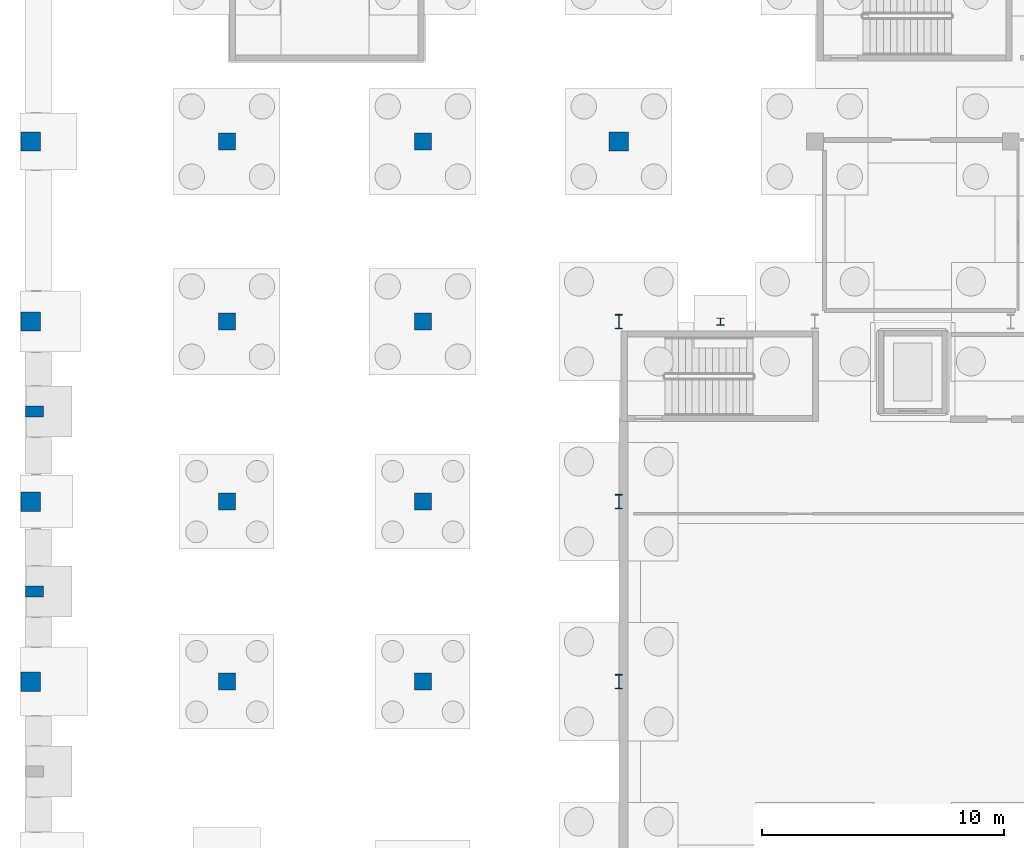
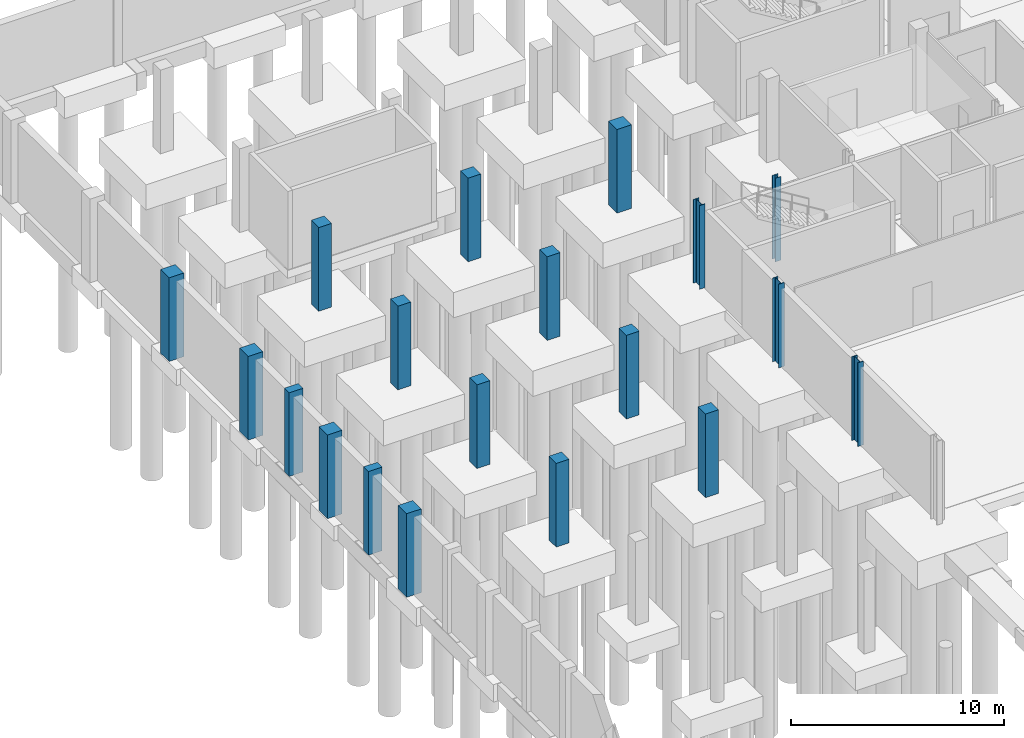
# One storey, part 18 of 37: 19 columns.
"""IFC4 building model written with IfcOpenShell, lengths in metres."""

import ifcopenshell
import ifcopenshell.guid

model = None  # the IFC model being written
_history = None  # IfcOwnerHistory: only IFC2X3 demands one
_inside = {}  # id of a spatial element -> (the spatial element, [elements in it])
_under = {}  # id of a project, library or spatial element -> (it, [spatial elements below it])
_declared = {}  # id of a project -> (the project, [libraries it declares])
_typed = {}  # id of a type object -> (the type object, [elements of that type])
_made_of = {}  # id of a material, layer set ... -> (it, [elements and type objects made of it])


def new_model(schema):
    """Start an empty IFC model of exactly this schema.

    Asked for "IFC4X3", IfcOpenShell would pick the latest addendum, in which some entities
    have other attributes; the version numbers below select the first issue.
    IFC2X3 requires an IfcOwnerHistory on every rooted entity: one is made here for all.
    """
    global model, _history
    if schema == "IFC4X3":
        model = ifcopenshell.file(schema_version=(4, 3, 0, 0))
    else:
        model = ifcopenshell.file(schema=schema)
    _inside.clear()
    _under.clear()
    _declared.clear()
    _typed.clear()
    _made_of.clear()
    _history = None
    if model.schema == "IFC2X3":
        org = make("IfcOrganization", Name="unknown")
        user = make(
            "IfcPersonAndOrganization",
            ThePerson=make("IfcPerson", FamilyName="unknown"),
            TheOrganization=org,
        )
        app = make(
            "IfcApplication",
            ApplicationDeveloper=org,
            Version="unknown",
            ApplicationFullName="unknown",
            ApplicationIdentifier="unknown",
        )
        _history = make(
            "IfcOwnerHistory",
            OwningUser=user,
            OwningApplication=app,
            ChangeAction="ADDED",
            CreationDate=0,
        )
    return model


def make(cls, **values):
    """One entity of the class cls with the attributes given. An attribute that is None is left unset."""
    return model.create_entity(
        cls, **{name: value for name, value in values.items() if value is not None}
    )


def rooted(cls, **values):
    """An entity with a GlobalId (a new one), such as an element, a storey or a relation."""
    return make(cls, GlobalId=ifcopenshell.guid.new(), OwnerHistory=_history, **values)


def si_unit(unit_type, name, prefix=None):
    """IfcSIUnit, for example si_unit("LENGTHUNIT", "METRE", prefix="MILLI")."""
    return make("IfcSIUnit", UnitType=unit_type, Prefix=prefix, Name=name)


def assignment(units):
    """IfcUnitAssignment: the units of a project."""
    return None if units is None else make("IfcUnitAssignment", Units=units)


def point(xyz):
    """IfcCartesianPoint."""
    return None if xyz is None else make("IfcCartesianPoint", Coordinates=xyz)


def direction(xyz):
    """IfcDirection."""
    return None if xyz is None else make("IfcDirection", DirectionRatios=xyz)


def frame(location, z_axis=None, x_axis=None):
    """IfcAxis2Placement3D, a coordinate frame: its origin and axes. An axis left out is left unset."""
    return make(
        "IfcAxis2Placement3D",
        Location=point(location),
        Axis=direction(z_axis),
        RefDirection=direction(x_axis),
    )


def frame_2d(location, x_axis=None):
    """IfcAxis2Placement2D, a coordinate frame in the plane: its origin and x axis."""
    return make(
        "IfcAxis2Placement2D", Location=point(location), RefDirection=direction(x_axis)
    )


def origin():
    """The frame at (0, 0, 0) with its axes left unset."""
    return frame((0.0, 0.0, 0.0))


def origin_2d():
    """The frame at (0, 0) in the plane with its x axis left unset."""
    return frame_2d((0.0, 0.0))


def place(relative_to, where):
    """IfcLocalPlacement: puts the frame where relative to a parent placement (None: the world)."""
    return make(
        "IfcLocalPlacement", PlacementRelTo=relative_to, RelativePlacement=where
    )


def context(
    kind, dimensions, precision=None, world=None, true_north=None, identifier=None
):
    """IfcGeometricRepresentationContext, for example the 3D "Model" context."""
    return make(
        "IfcGeometricRepresentationContext",
        ContextIdentifier=identifier,
        ContextType=kind,
        CoordinateSpaceDimension=dimensions,
        Precision=precision,
        WorldCoordinateSystem=world,
        TrueNorth=true_north,
    )


def subcontext(parent, identifier, kind, view, scale=None):
    """IfcGeometricRepresentationSubContext, for example "Body" below "Model"."""
    return make(
        "IfcGeometricRepresentationSubContext",
        ContextIdentifier=identifier,
        ContextType=kind,
        ParentContext=parent,
        TargetScale=scale,
        TargetView=view,
    )


def project(units=None, contexts=None):
    """IfcProject with its units and contexts."""
    return rooted(
        "IfcProject",
        Name="project",
        RepresentationContexts=contexts,
        UnitsInContext=assignment(units),
    )


def spatial(cls, under=None, at=None, **own):
    """A site, building, storey or space (cls), placed at a placement, below another one or the project."""
    s = rooted(cls, ObjectPlacement=at, **own)
    if under is not None:
        _under.setdefault(under.id(), (under, []))[1].append(s)
    return s


def profile(cls, at=None, kind="AREA", **sizes):
    """A parametric profile (cls). Its sizes go by their IFC names, for example OverallWidth=200.0."""
    return make(cls, ProfileType=kind, Position=at, **sizes)


def rectangle(**sizes):
    """IfcRectangleProfileDef."""
    return profile("IfcRectangleProfileDef", **sizes)


def i_section(**sizes):
    """IfcIShapeProfileDef."""
    return profile("IfcIShapeProfileDef", **sizes)


def extrude(swept, where, along, depth):
    """IfcExtrudedAreaSolid: the profile swept, set in the frame where, extruded along a direction by depth."""
    return make(
        "IfcExtrudedAreaSolid",
        SweptArea=swept,
        Position=where,
        ExtrudedDirection=direction(along),
        Depth=depth,
    )


def shape(context_of_items, identifier, shape_type, items):
    """IfcShapeRepresentation: the items that make up one representation, for example the "Body"."""
    return make(
        "IfcShapeRepresentation",
        ContextOfItems=context_of_items,
        RepresentationIdentifier=identifier,
        RepresentationType=shape_type,
        Items=items,
    )


def material(Name=None, Category=None):
    """IfcMaterial."""
    return make("IfcMaterial", Name=Name, Category=Category)


def material_profile(
    of_material, cross_section, Name=None, Category=None, Priority=None
):
    """IfcMaterialProfile: a cross section and its material."""
    return make(
        "IfcMaterialProfile",
        Name=Name,
        Material=of_material,
        Profile=cross_section,
        Priority=Priority,
        Category=Category,
    )


def profile_set(profiles, Name=None, composite=None):
    """IfcMaterialProfileSet."""
    return make(
        "IfcMaterialProfileSet",
        Name=Name,
        MaterialProfiles=profiles,
        CompositeProfile=composite,
    )


def made_of(thing, what):
    """Note that an element or type object is made of a material, layer set ...; save() writes the relation."""
    if what is not None:
        _made_of.setdefault(what.id(), (what, []))[1].append(thing)
    return thing


def type_object(cls, material=None, **own):
    """A type object (cls), such as IfcWallType, which elements share."""
    return made_of(rooted(cls, **own), material)


def element(
    cls,
    number,
    at=None,
    inside=None,
    cuts=None,
    type_object=None,
    material=None,
    context=None,
    identifier="Body",
    shape_type=None,
    held_by="IfcProductDefinitionShape",
    body=None,
    shapes=None,
    **own,
):
    """One element of the class cls, such as IfcWall. Its Tag is "e" and its number.

    at: its placement. inside: the storey or other place that contains it. cuts: it is an
    opening in that element (IfcRelVoidsElement). A single representation is given by context,
    identifier, shape_type and body (its items); several are given by shapes. held_by: the class
    of the entity that holds the representations. save() writes the other relations.
    """
    e = rooted(cls, Tag="e%d" % number, ObjectPlacement=at, **own)
    if body is not None:
        shapes = [shape(context, identifier, shape_type, body)]
    if shapes is not None:
        e.Representation = make(held_by, Representations=shapes)
    if inside is not None:
        _inside.setdefault(inside.id(), (inside, []))[1].append(e)
    if cuts is not None:
        rooted(
            "IfcRelVoidsElement", RelatingBuildingElement=cuts, RelatedOpeningElement=e
        )
    if type_object is not None:
        _typed.setdefault(type_object.id(), (type_object, []))[1].append(e)
    return made_of(e, material)


def aggregate(whole, parts):
    """IfcRelAggregates: a whole, such as a stair, and the parts it consists of."""
    return rooted("IfcRelAggregates", RelatingObject=whole, RelatedObjects=parts)


def save(model, path):
    """Write the relations noted so far, then the file.

    IfcRelAggregates (storeys below a building ...), IfcRelContainedInSpatialStructure (elements
    in a storey), IfcRelDefinesByType, IfcRelAssociatesMaterial and IfcRelDeclares: one each for
    every whole, place, type object, material and project.
    """
    for whole, parts in _under.values():
        aggregate(whole, parts)
    for where, things in _inside.values():
        rooted(
            "IfcRelContainedInSpatialStructure",
            RelatedElements=things,
            RelatingStructure=where,
        )
    for kind, things in _typed.values():
        rooted("IfcRelDefinesByType", RelatedObjects=things, RelatingType=kind)
    for what, things in _made_of.values():
        rooted("IfcRelAssociatesMaterial", RelatedObjects=things, RelatingMaterial=what)
    for by, libraries in _declared.values():
        rooted("IfcRelDeclares", RelatingContext=by, RelatedDefinitions=libraries)
    model.write(path)


model = new_model("IFC4")

# Units and contexts
model_context = context("Model", 3, precision=1e-05, world=origin(), true_north=direction((0.0, 1.0)))
body_context = subcontext(model_context, "Body", "Model", "MODEL_VIEW")
ifc_project = project(units=[si_unit("LENGTHUNIT", "METRE"), si_unit("AREAUNIT", "SQUARE_METRE"), si_unit("VOLUMEUNIT", "CUBIC_METRE"), si_unit("PLANEANGLEUNIT", "RADIAN"), si_unit("MASSUNIT", "GRAM", prefix="KILO")], contexts=[model_context])

# Site, building, storey
site_placement = place(None, origin())
site = spatial("IfcSite", under=ifc_project, at=site_placement, CompositionType="ELEMENT")
building_placement = place(site_placement, origin())
building = spatial("IfcBuilding", under=site, at=building_placement, Name="Kaelora Sail Theatre", CompositionType="ELEMENT")
storey_placement = place(building_placement, frame((0.0, 0.0, -4.800048828125)))
storey = spatial("IfcBuildingStorey", under=building, at=storey_placement, Name="B1", CompositionType="ELEMENT", Elevation=-4.800048828125)

# Columns
ifc_material_1 = material(Name="Steel S355", Category="steel")
ifc_material_profile_1 = material_profile(ifc_material_1, i_section(OverallWidth=0.300048828125, OverallDepth=0.2900390625, WebThickness=0.008544921875, FlangeThickness=0.013916015625, FilletRadius=0.027099609375, at=origin_2d()), Name="HEA 300")
ifc_profile_set_1 = profile_set([ifc_material_profile_1], Name="Steel S355")
column_type_1 = type_object("IfcColumnType", Name="STR-COL-C-HEA300", PredefinedType="COLUMN", material=ifc_profile_set_1)
column_placement = place(storey_placement, frame((30.0, 83.340087890625, 0.0), z_axis=(0.0, 0.0, 1.0), x_axis=(1.0, 0.0, 0.0)))
element("IfcColumn", 1, at=column_placement, inside=storey, type_object=column_type_1, Name="Understage/Link substructure column 07", PredefinedType="COLUMN", context=body_context, shape_type="SweptSolid", body=[
    extrude(i_section(OverallWidth=0.300048828125, OverallDepth=0.2900390625, WebThickness=0.008544921875, FlangeThickness=0.013916015625, FilletRadius=0.027099609375, at=origin_2d()), origin(), (0.0, 0.0, 1.0), 4.800048828125),
])
ifc_material_2 = material(Name="Steel S355", Category="steel")
ifc_material_profile_2 = material_profile(ifc_material_2, i_section(OverallWidth=0.300048828125, OverallDepth=0.60009765625, WebThickness=0.015380859375, FlangeThickness=0.030029296875, FilletRadius=0.027099609375, at=origin_2d()), Name="HEB 600")
ifc_profile_set_2 = profile_set([ifc_material_profile_2], Name="Steel S355")
column_type_2 = type_object("IfcColumnType", Name="STR-COL-C-HEB600", PredefinedType="COLUMN", material=ifc_profile_set_2)
for number, where, z_axis, x_axis, name in (
    (2, (25.800048828125, 68.4599609375, 0.0), (0.0, 0.0, 1.0), (1.0, 0.0, 0.0), "Column 4/J (B1)"),
    (3, (25.800048828125, 75.89990234375, 0.0), (0.0, 0.0, 1.0), (1.0, 0.0, 0.0), "Column 4/K (B1)"),
    (4, (25.800048828125, 83.340087890625, 0.0), (0.0, 0.0, 1.0), (1.0, 0.0, 0.0), "Column 4/L (B1)"),
):
    element("IfcColumn", number, at=place(storey_placement, frame(where, z_axis=z_axis, x_axis=x_axis)), inside=storey, type_object=column_type_2, Name=name, PredefinedType="COLUMN", context=body_context, shape_type="SweptSolid", body=[
        extrude(i_section(OverallWidth=0.300048828125, OverallDepth=0.60009765625, WebThickness=0.015380859375, FlangeThickness=0.030029296875, FilletRadius=0.027099609375, at=origin_2d()), origin(), (0.0, 0.0, 1.0), 4.800048828125),
    ])
ifc_material_3 = material(Name="Concrete C45/55", Category="concrete")
ifc_material_profile_3 = material_profile(ifc_material_3, rectangle(XDim=0.699951171875, YDim=0.699951171875, at=origin_2d()), Name="RC-COL 700x700")
ifc_profile_set_3 = profile_set([ifc_material_profile_3], Name="Concrete C45/55")
column_type_3 = type_object("IfcColumnType", Name="STR-COL-C-RC700", PredefinedType="COLUMN", material=ifc_profile_set_3)
for number, where, z_axis, x_axis, name in (
    (5, (9.60009765625, 68.4599609375, 0.0), (0.0, 0.0, 1.0), (1.0, 0.0, 0.0), "Column 2/J (B1)"),
    (6, (9.60009765625, 75.89990234375, 0.0), (0.0, 0.0, 1.0), (1.0, 0.0, 0.0), "Column 2/K (B1)"),
    (7, (9.60009765625, 83.340087890625, 0.0), (0.0, 0.0, 1.0), (1.0, 0.0, 0.0), "Column 2/L (B1)"),
    (8, (9.60009765625, 90.780029296875, 0.0), (0.0, 0.0, 1.0), (1.0, 0.0, 0.0), "Column 2/M (B1)"),
    (9, (17.699951171875, 68.4599609375, 0.0), (0.0, 0.0, 1.0), (1.0, 0.0, 0.0), "Column 3/J (B1)"),
    (10, (17.699951171875, 75.89990234375, 0.0), (0.0, 0.0, 1.0), (1.0, 0.0, 0.0), "Column 3/K (B1)"),
    (11, (17.699951171875, 83.340087890625, 0.0), (0.0, 0.0, 1.0), (1.0, 0.0, 0.0), "Column 3/L (B1)"),
    (12, (17.699951171875, 90.780029296875, 0.0), (0.0, 0.0, 1.0), (1.0, 0.0, 0.0), "Column 3/M (B1)"),
):
    element("IfcColumn", number, at=place(storey_placement, frame(where, z_axis=z_axis, x_axis=x_axis)), inside=storey, type_object=column_type_3, Name=name, PredefinedType="COLUMN", context=body_context, shape_type="SweptSolid", body=[
        extrude(rectangle(XDim=0.699951171875, YDim=0.699951171875, at=origin_2d()), origin(), (0.0, 0.0, 1.0), 4.800048828125),
    ])
ifc_material_4 = material(Name="Concrete C50/60", Category="concrete")
ifc_material_profile_4 = material_profile(ifc_material_4, rectangle(XDim=0.800048828125, YDim=0.800048828125, at=origin_2d()), Name="RC-COL 800x800")
ifc_profile_set_4 = profile_set([ifc_material_profile_4], Name="Concrete C50/60")
column_type_4 = type_object("IfcColumnType", Name="STR-COL-C-RC800", PredefinedType="COLUMN", material=ifc_profile_set_4)
for number, where, z_axis, x_axis, name in (
    (13, (1.5, 68.4599609375, 0.0), (0.0, 0.0, 1.0), (1.0, 0.0, 0.0), "Column 1/J (B1)"),
    (14, (1.5, 75.89990234375, 0.0), (0.0, 0.0, 1.0), (1.0, 0.0, 0.0), "Column 1/K (B1)"),
    (15, (1.5, 83.340087890625, 0.0), (0.0, 0.0, 1.0), (1.0, 0.0, 0.0), "Column 1/L (B1)"),
    (16, (1.5, 90.780029296875, 0.0), (0.0, 0.0, 1.0), (1.0, 0.0, 0.0), "Column 1/M (B1)"),
    (17, (25.800048828125, 90.780029296875, 0.0), (0.0, 0.0, 1.0), (1.0, 0.0, 0.0), "Column 4/M (B1)"),
):
    element("IfcColumn", number, at=place(storey_placement, frame(where, z_axis=z_axis, x_axis=x_axis)), inside=storey, type_object=column_type_4, Name=name, PredefinedType="COLUMN", context=body_context, shape_type="SweptSolid", body=[
        extrude(rectangle(XDim=0.800048828125, YDim=0.800048828125, at=origin_2d()), origin(), (0.0, 0.0, 1.0), 4.800048828125),
    ])
ifc_material_5 = material(Name="Precast concrete C45/55", Category="concrete")
ifc_material_profile_5 = material_profile(ifc_material_5, rectangle(XDim=0.449951171875, YDim=0.75, at=origin_2d()), Name="RC-PIL 450x750")
ifc_profile_set_5 = profile_set([ifc_material_profile_5], Name="Precast concrete C45/55")
column_type_5 = type_object("IfcColumnType", Name="STR-COL-PL-RC4575", PredefinedType="PILASTER", material=ifc_profile_set_5)
for number, where, z_axis, x_axis, name in (
    (18, (1.64990234375, 72.179931640625, 0.0), (0.0, 0.0, 1.0), (0.0, 1.0, 0.0), "Postmodern colonnade pilaster B1 W09"),
    (19, (1.64990234375, 79.6201171875, 0.0), (0.0, 0.0, 1.0), (0.0, 1.0, 0.0), "Postmodern colonnade pilaster B1 W10"),
):
    element("IfcColumn", number, at=place(storey_placement, frame(where, z_axis=z_axis, x_axis=x_axis)), inside=storey, type_object=column_type_5, Name=name, PredefinedType="PILASTER", context=body_context, shape_type="SweptSolid", body=[
        extrude(rectangle(XDim=0.449951171875, YDim=0.75, at=origin_2d()), origin(), (0.0, 0.0, 1.0), 4.800048828125),
    ])

save(model, "model.ifc")
